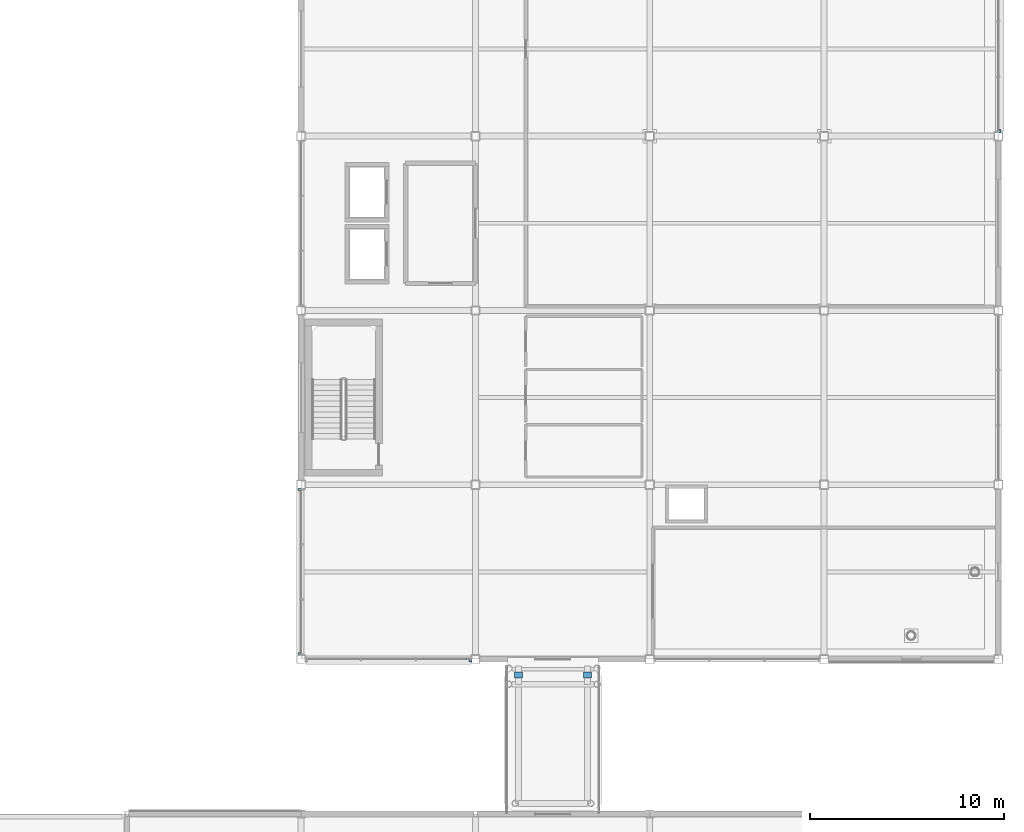
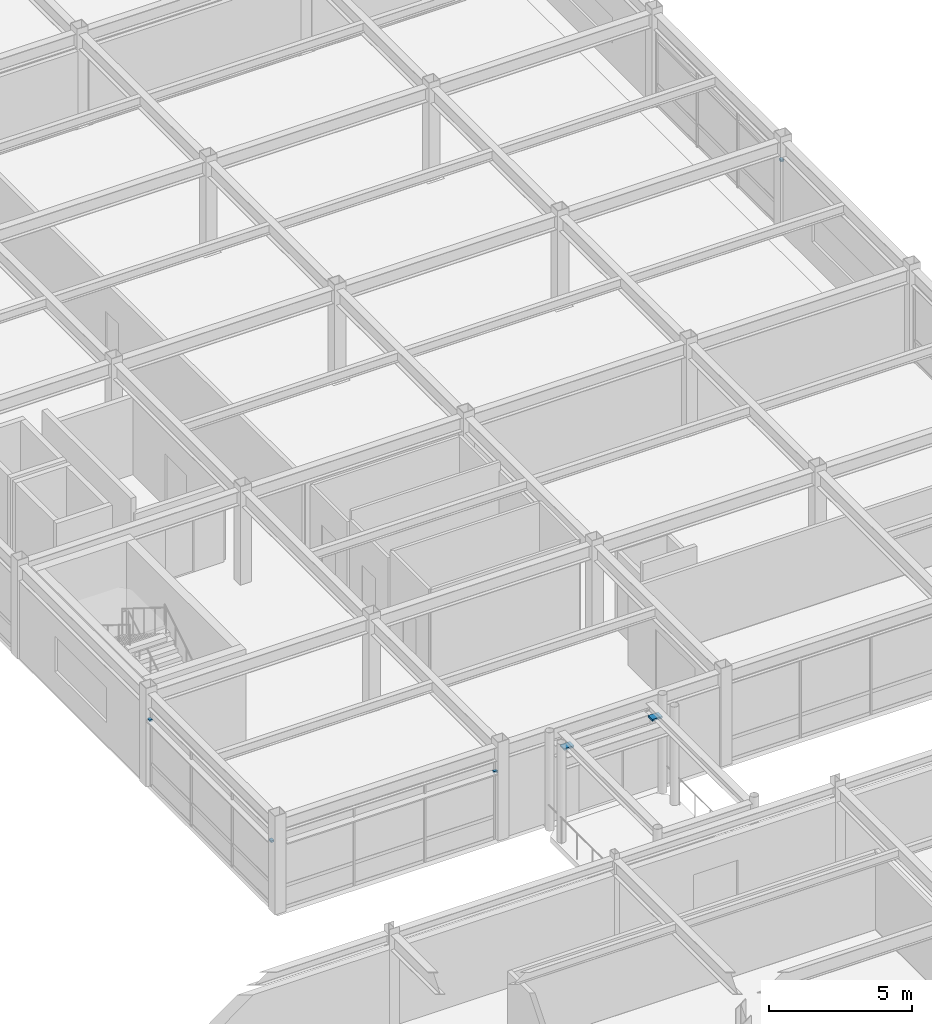
# One storey, part 87 of 105: 6 discrete accessories.
"""IFC4 building model written with IfcOpenShell, lengths in metres."""

from ifc_helpers import new_model, si_unit, direction, frame, origin, origin_2d, place, context, subcontext, project, spatial, rectangle, extrude, material, type_object, element, save


model = new_model("IFC4")

# Units and contexts
model_context = context("Model", 3, precision=1e-05, world=origin(), true_north=direction((0.0, 1.0)))
body_context = subcontext(model_context, "Body", "Model", "MODEL_VIEW")
ifc_project = project(units=[si_unit("LENGTHUNIT", "METRE"), si_unit("AREAUNIT", "SQUARE_METRE"), si_unit("VOLUMEUNIT", "CUBIC_METRE"), si_unit("PLANEANGLEUNIT", "RADIAN"), si_unit("MASSUNIT", "GRAM", prefix="KILO")], contexts=[model_context])

# Site, building, storey
site_placement = place(None, origin())
site = spatial("IfcSite", under=ifc_project, at=site_placement, CompositionType="ELEMENT")
building_placement = place(site_placement, origin())
building = spatial("IfcBuilding", under=site, at=building_placement, Name="Suzunagisa Mobility Hub", CompositionType="ELEMENT")
storey_placement = place(building_placement, frame((0.0, 0.0, 5.10009765625)))
storey = spatial("IfcBuildingStorey", under=building, at=storey_placement, Name="L01", CompositionType="ELEMENT", Elevation=5.10009765625)

# Discrete accessories
ifc_material_1 = material(Name="Stainless Steel SUS316", Category="metal")
discrete_accessory_type_1 = type_object("IfcDiscreteAccessoryType", Name="Stainless Sunshade Outrigger Bracket BRK-01", PredefinedType="BRACKET", material=ifc_material_1)
for number, where, z_axis, x_axis, name in (
    (1, (152.7451171875, 43.9150390625, 2.871826171875), (0.0, 0.0, 1.0), (1.0, 0.0, 0.0), "Sunshade Outrigger Bracket BRK-39.2"),
    (2, (180.0849609375, 71.2548828125, 2.809814453125), (0.0, 0.0, 1.0), (0.0, 1.0, 0.0), "Sunshade Outrigger Bracket BRK-40.1"),
    (3, (143.9150390625, 52.7451171875, 2.809814453125), (0.0, 0.0, 1.0), (0.0, -1.0, 0.0), "Sunshade Outrigger Bracket BRK-42.1"),
    (4, (143.9150390625, 44.2548828125, 2.809814453125), (0.0, 0.0, 1.0), (0.0, -1.0, 0.0), "Sunshade Outrigger Bracket BRK-42.2"),
):
    element("IfcDiscreteAccessory", number, at=place(storey_placement, frame(where, z_axis=z_axis, x_axis=x_axis)), inside=storey, type_object=discrete_accessory_type_1, Name=name, PredefinedType="BRACKET", context=body_context, shape_type="SweptSolid", body=[
        extrude(rectangle(XDim=0.159912109375, YDim=0.1201171875, at=origin_2d()), origin(), (0.0, 0.0, 1.0), 0.080078125),
    ])
ifc_material_2 = material(Name="PTFE Elastomeric Bearing Assembly")
discrete_accessory_type_2 = type_object("IfcDiscreteAccessoryType", Name="Unguided PTFE Sliding Bearing SBG-01", PredefinedType="SHOE", material=ifc_material_2)
for number, where, z_axis, x_axis, name in (
    (5, (155.219970703125, 43.175048828125, 3.52978515625), (0.0, 0.0, 1.0), (1.0, 0.0, 0.0), "Skybridge PTFE Sliding Bearing SB-04-A"),
    (6, (158.780029296875, 43.175048828125, 3.52978515625), (0.0, 0.0, 1.0), (1.0, 0.0, 0.0), "Skybridge PTFE Sliding Bearing SB-04-B"),
):
    element("IfcDiscreteAccessory", number, at=place(storey_placement, frame(where, z_axis=z_axis, x_axis=x_axis)), inside=storey, type_object=discrete_accessory_type_2, Name=name, PredefinedType="SHOE", context=body_context, shape_type="SweptSolid", body=[
        extrude(rectangle(XDim=0.39990234375, YDim=0.300048828125, at=origin_2d()), origin(), (0.0, 0.0, 1.0), 0.080078125),
    ])

save(model, "model.ifc")
